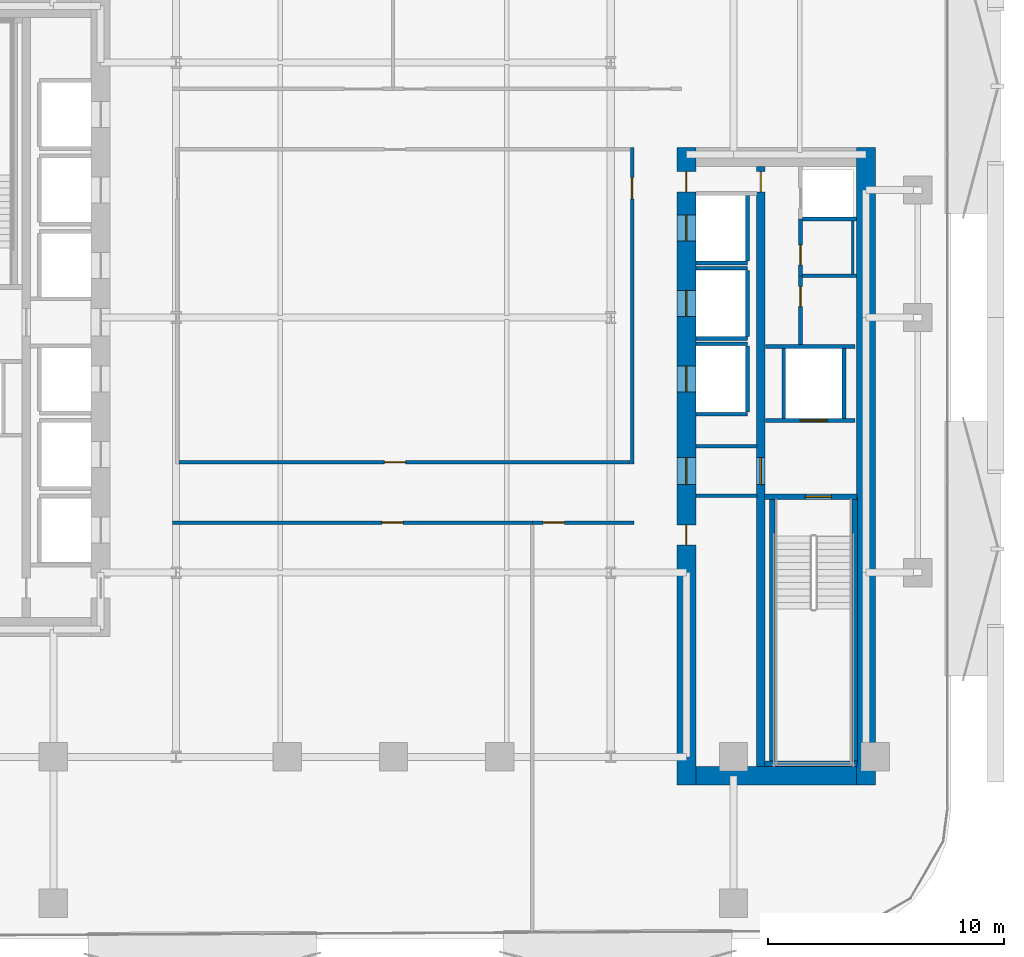
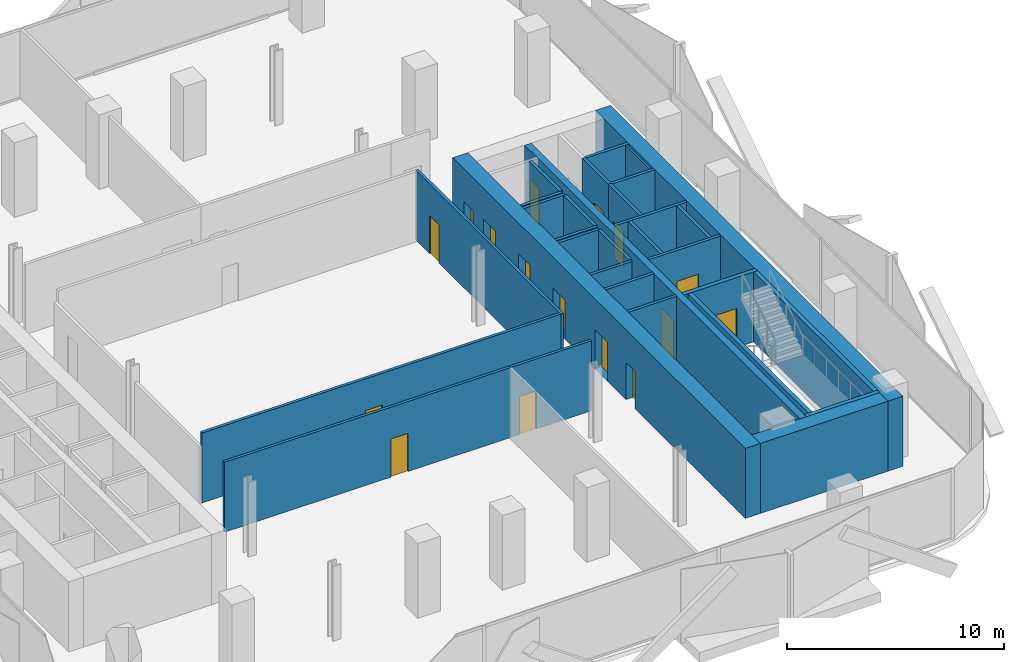
# One storey, part 4 of 14: 31 walls, 16 doors, 16 openings.
"""IFC4 building model written with IfcOpenShell, lengths in metres."""

from ifc_helpers import new_model, si_unit, direction, frame, frame_2d, origin, place, context, subcontext, project, spatial, rectangle, extrude, material, layer, layer_set, type_object, element, fill, save


model = new_model("IFC4")

# Units and contexts
model_context = context("Model", 3, precision=1e-05, world=origin(), true_north=direction((0.0, 1.0)))
body_context = subcontext(model_context, "Body", "Model", "MODEL_VIEW")
ifc_project = project(units=[si_unit("LENGTHUNIT", "METRE"), si_unit("AREAUNIT", "SQUARE_METRE"), si_unit("VOLUMEUNIT", "CUBIC_METRE"), si_unit("PLANEANGLEUNIT", "RADIAN"), si_unit("MASSUNIT", "GRAM", prefix="KILO")], contexts=[model_context])

# Site, building, storey
site_placement = place(None, origin())
site = spatial("IfcSite", under=ifc_project, at=site_placement, CompositionType="ELEMENT")
building_placement = place(site_placement, origin())
building = spatial("IfcBuilding", under=site, at=building_placement, Name="Khairoan Windgate Tower", CompositionType="ELEMENT")
storey_placement = place(building_placement, frame((0.0, 0.0, 93.199951171875)))
storey = spatial("IfcBuildingStorey", under=building, at=storey_placement, Name="L21", CompositionType="ELEMENT", Elevation=93.199951171875)

# Walls
ifc_material_1 = material(Name="Moisture-Resistant Gypsum Partition", Category="gypsum")
ifc_layer_1 = layer(ifc_material_1, 0.10009765625, Name="Moisture-Resistant Gypsum Partition")
ifc_layer_set_1 = layer_set([ifc_layer_1], Name="Moisture-Resistant Gypsum Partition")
wall_type_1 = type_object("IfcWallType", Name="Bathroom Wet-Area Partition Wall", PredefinedType="PARTITIONING", material=ifc_layer_set_1)
wall_1_placement = place(storey_placement, frame((19.449951171875, 4.090087890625, 0.0), z_axis=(0.0, 0.0, 1.0), x_axis=(0.0, -1.0, 0.0)))
element("IfcWall", 1, at=wall_1_placement, inside=storey, type_object=wall_type_1, Name="L21 Wet Room Side Wall 025", PredefinedType="PARTITIONING", context=body_context, shape_type="SweptSolid", body=[
    extrude(rectangle(XDim=2.239990234375, YDim=0.10009765625, at=frame_2d((1.1201171875, 0.0))), origin(), (0.0, 0.0, 1.0), 3.93994140625),
])
ifc_material_2 = material(Name="Concrete C40/50", Category="concrete")
ifc_layer_2 = layer(ifc_material_2, 0.159912109375, Name="Concrete C40/50")
ifc_layer_set_2 = layer_set([ifc_layer_2], Name="Concrete C40/50")
wall_type_2 = type_object("IfcWallType", Name="Core and Hoistway Enclosure Wall", PredefinedType="STANDARD", material=ifc_layer_set_2)
wall_2_placement = place(storey_placement, frame((12.800048828125, 2.31005859375, 0.0), z_axis=(0.0, 0.0, 1.0), x_axis=(1.0, 0.0, 0.0)))
element("IfcWall", 2, at=wall_2_placement, inside=storey, type_object=wall_type_2, Name="L21 Lift PL7 Hoistway Divider S", PredefinedType="STANDARD", context=body_context, shape_type="SweptSolid", body=[
    extrude(rectangle(XDim=2.18994140625, YDim=0.159912109375, at=frame_2d((1.094970703125, 0.0))), origin(), (0.0, 0.0, 1.0), 3.93994140625),
])
wall_3_placement = place(storey_placement, frame((14.989990234375, 2.39990234375, 0.0), z_axis=(0.0, 0.0, 1.0), x_axis=(0.0, 1.0, 0.0)))
element("IfcWall", 3, at=wall_3_placement, inside=storey, type_object=wall_type_2, Name="L21 Lift PL7 Hoistway Back Wall", PredefinedType="STANDARD", context=body_context, shape_type="SweptSolid", body=[
    extrude(rectangle(XDim=2.800048828125, YDim=0.159912109375, at=frame_2d((1.39990234375, 0.0))), origin(), (0.0, 0.0, 1.0), 3.93994140625),
])
for number, where, z_axis, x_axis, name in (
    (4, (12.800048828125, -0.889892578125, 0.0), (0.0, 0.0, 1.0), (1.0, 0.0, 0.0), "L21 Lift PL8 Hoistway Divider S"),
    (5, (12.800048828125, 2.090087890625, 0.0), (0.0, 0.0, 1.0), (1.0, 0.0, 0.0), "L21 Lift PL8 Hoistway Divider N"),
):
    element("IfcWall", number, at=place(storey_placement, frame(where, z_axis=z_axis, x_axis=x_axis)), inside=storey, type_object=wall_type_2, Name=name, PredefinedType="STANDARD", context=body_context, shape_type="SweptSolid", body=[
        extrude(rectangle(XDim=2.18994140625, YDim=0.159912109375, at=frame_2d((1.094970703125, 0.0))), origin(), (0.0, 0.0, 1.0), 3.93994140625),
    ])
wall_4_placement = place(storey_placement, frame((14.989990234375, -0.800048828125, 0.0), z_axis=(0.0, 0.0, 1.0), x_axis=(0.0, 1.0, 0.0)))
element("IfcWall", 6, at=wall_4_placement, inside=storey, type_object=wall_type_2, Name="L21 Lift PL8 Hoistway Back Wall", PredefinedType="STANDARD", context=body_context, shape_type="SweptSolid", body=[
    extrude(rectangle(XDim=2.800048828125, YDim=0.159912109375, at=frame_2d((1.39990234375, 0.0))), origin(), (0.0, 0.0, 1.0), 3.93994140625),
])
for number, where, z_axis, x_axis, name in (
    (7, (12.800048828125, -4.090087890625, 0.0), (0.0, 0.0, 1.0), (1.0, 0.0, 0.0), "L21 Lift PL9 Hoistway Divider S"),
    (8, (12.800048828125, -1.110107421875, 0.0), (0.0, 0.0, 1.0), (1.0, 0.0, 0.0), "L21 Lift PL9 Hoistway Divider N"),
):
    element("IfcWall", number, at=place(storey_placement, frame(where, z_axis=z_axis, x_axis=x_axis)), inside=storey, type_object=wall_type_2, Name=name, PredefinedType="STANDARD", context=body_context, shape_type="SweptSolid", body=[
        extrude(rectangle(XDim=2.18994140625, YDim=0.159912109375, at=frame_2d((1.094970703125, 0.0))), origin(), (0.0, 0.0, 1.0), 3.93994140625),
    ])
wall_5_placement = place(storey_placement, frame((14.989990234375, -4.0, 0.0), z_axis=(0.0, 0.0, 1.0), x_axis=(0.0, 1.0, 0.0)))
element("IfcWall", 9, at=wall_5_placement, inside=storey, type_object=wall_type_2, Name="L21 Lift PL9 Hoistway Back Wall", PredefinedType="STANDARD", context=body_context, shape_type="SweptSolid", body=[
    extrude(rectangle(XDim=2.800048828125, YDim=0.159912109375, at=frame_2d((1.39990234375, 0.0))), origin(), (0.0, 0.0, 1.0), 3.93994140625),
])

# Wall, opening, door
wall_6_placement = place(storey_placement, frame((15.75, -4.360107421875, 0.0), z_axis=(0.0, 0.0, 1.0), x_axis=(1.0, 0.0, 0.0)))
wall_6 = element("IfcWall", 10, at=wall_6_placement, inside=storey, type_object=wall_type_2, Name="L21 Core Shaft Wall SW-FL1-L21", PredefinedType="STANDARD", context=body_context, shape_type="SweptSolid", body=[
    extrude(rectangle(XDim=3.800048828125, YDim=0.159912109375, at=frame_2d((1.89990234375, 0.0))), origin(), (0.0, 0.0, 1.0), 3.93994140625),
])
opening_1_placement = place(wall_6_placement, frame((1.469970703125, 0.0, 0.0)))
opening_1 = element("IfcOpeningElement", 11, at=opening_1_placement, cuts=wall_6, Name="Opening LD-FL", PredefinedType="OPENING", context=body_context, shape_type="SweptSolid", body=[
    extrude(rectangle(XDim=1.14990234375, YDim=2.199951171875, at=frame_2d((0.574951171875, 1.10009765625))), frame((0.0, 0.08984375, 0.0), z_axis=(0.0, -1.0, 0.0), x_axis=(1.0, 0.0, 0.0)), (0.0, 0.0, 1.0), 0.179931640625),
])
ifc_material_3 = material(Name="Steel S355", Category="steel")
door_type_1 = type_object("IfcDoorType", Name="Firefighting Lift Sliding Landing Door LD-FL 1150x2200", OperationType="DOUBLE_DOOR_SLIDING", PredefinedType="DOOR", material=ifc_material_3)
door_1_placement = place(opening_1_placement, origin())
door_1 = element("IfcDoor", 12, at=door_1_placement, inside=storey, type_object=door_type_1, Name="L21 Firefighting Lift FL1 Landing Door", OperationType="DOUBLE_DOOR_SLIDING", OverallHeight=2.199951171875, OverallWidth=1.14990234375, PredefinedType="DOOR", context=body_context, shape_type="SweptSolid", body=[
    extrude(rectangle(XDim=1.14990234375, YDim=2.199951171875, at=frame_2d((0.574951171875, 1.10009765625))), frame((0.0, 0.02490234375, 0.0), z_axis=(0.0, -1.0, 0.0), x_axis=(1.0, 0.0, 0.0)), (0.0, 0.0, 1.0), 0.050048828125),
])
fill(opening_1, door_1)

# Walls
wall_7_placement = place(storey_placement, frame((15.75, -1.219970703125, 0.0), z_axis=(0.0, 0.0, 1.0), x_axis=(1.0, 0.0, 0.0)))
element("IfcWall", 13, at=wall_7_placement, inside=storey, type_object=wall_type_2, Name="L21 Core Shaft Wall SW-FL1T-L21", PredefinedType="STANDARD", context=body_context, shape_type="SweptSolid", body=[
    extrude(rectangle(XDim=3.800048828125, YDim=0.159912109375, at=frame_2d((1.89990234375, 0.0))), origin(), (0.0, 0.0, 1.0), 3.93994140625),
])
for number, where, z_axis, x_axis, name in (
    (14, (16.52001953125, -4.280029296875, 0.0), (0.0, 0.0, 1.0), (0.0, 1.0, 0.0), "L21 Core Shaft Wall SW-FL1W-L21"),
    (15, (19.080078125, -4.280029296875, 0.0), (0.0, 0.0, 1.0), (0.0, 1.0, 0.0), "L21 Core Shaft Wall SW-FL1E-L21"),
):
    element("IfcWall", number, at=place(storey_placement, frame(where, z_axis=z_axis, x_axis=x_axis)), inside=storey, type_object=wall_type_2, Name=name, PredefinedType="STANDARD", context=body_context, shape_type="SweptSolid", body=[
        extrude(rectangle(XDim=2.97998046875, YDim=0.159912109375, at=frame_2d((1.489990234375, 0.0))), origin(), (0.0, 0.0, 1.0), 3.93994140625),
    ])
for number, where, z_axis, x_axis, name in (
    (16, (12.800048828125, -5.449951171875, 0.0), (0.0, 0.0, 1.0), (1.0, 0.0, 0.0), "L21 Core Shaft Wall SW-EV1-L21"),
    (17, (12.800048828125, -7.5400390625, 0.0), (0.0, 0.0, 1.0), (1.0, 0.0, 0.0), "L21 Core Shaft Wall SW-EV2-L21"),
):
    element("IfcWall", number, at=place(storey_placement, frame(where, z_axis=z_axis, x_axis=x_axis)), inside=storey, type_object=wall_type_2, Name=name, PredefinedType="STANDARD", context=body_context, shape_type="SweptSolid", body=[
        extrude(rectangle(XDim=2.599853515625, YDim=0.159912109375, at=frame_2d((1.2998046875, 0.0))), origin(), (0.0, 0.0, 1.0), 3.93994140625),
    ])

# Wall, opening, door
ifc_material_4 = material(Name="Concrete C40/50", Category="concrete")
ifc_layer_3 = layer(ifc_material_4, 0.159912109375, Name="Concrete C40/50")
ifc_layer_set_3 = layer_set([ifc_layer_3], Name="Concrete C40/50")
wall_type_3 = type_object("IfcWallType", Name="Plant and Refuge Compartment Wall", PredefinedType="PARTITIONING", material=ifc_layer_set_3)
wall_8_placement = place(storey_placement, frame((17.22998046875, 1.77001953125, 0.0), z_axis=(0.0, 0.0, 1.0), x_axis=(0.0, 1.0, 0.0)))
wall_8 = element("IfcWall", 18, at=wall_8_placement, inside=storey, type_object=wall_type_3, Name="L21 Interior Partition 007", PredefinedType="PARTITIONING", context=body_context, shape_type="SweptSolid", body=[
    extrude(rectangle(XDim=2.39990234375, YDim=0.159912109375, at=frame_2d((1.199951171875, 0.0))), origin(), (0.0, 0.0, 1.0), 3.93994140625),
])
opening_2_placement = place(wall_8_placement, frame((0.4599609375, 0.0, 0.0)))
opening_2 = element("IfcOpeningElement", 19, at=opening_2_placement, cuts=wall_8, Name="Opening FD-SRV", PredefinedType="OPENING", context=body_context, shape_type="SweptSolid", body=[
    extrude(rectangle(XDim=0.85009765625, YDim=2.10009765625, at=frame_2d((0.425048828125, 1.050048828125))), frame((0.0, 0.08984375, 0.0), z_axis=(0.0, -1.0, 0.0), x_axis=(1.0, 0.0, 0.0)), (0.0, 0.0, 1.0), 0.179931640625),
])
ifc_material_5 = material(Name="Steel S355", Category="steel")
door_type_2 = type_object("IfcDoorType", Name="Core Service and Riser Fire Door FD-SRV 850x2100", OperationType="NOTDEFINED", PredefinedType="DOOR", material=ifc_material_5)
door_2_placement = place(opening_2_placement, origin())
door_2 = element("IfcDoor", 20, at=door_2_placement, inside=storey, type_object=door_type_2, Name="L21 L21-19-L21-21 Door", OperationType="SINGLE_SWING_RIGHT", OverallHeight=2.10009765625, OverallWidth=0.85009765625, PredefinedType="DOOR", context=body_context, shape_type="SweptSolid", body=[
    extrude(rectangle(XDim=0.85009765625, YDim=2.10009765625, at=frame_2d((0.425048828125, 1.050048828125))), frame((0.0, 0.02490234375, 0.0), z_axis=(0.0, -1.0, 0.0), x_axis=(1.0, 0.0, 0.0)), (0.0, 0.0, 1.0), 0.050048828125),
])
fill(opening_2, door_2)

wall_9_placement = place(storey_placement, frame((17.22998046875, -1.139892578125, 0.0), z_axis=(0.0, 0.0, 1.0), x_axis=(0.0, 1.0, 0.0)))
wall_9 = element("IfcWall", 21, at=wall_9_placement, inside=storey, type_object=wall_type_3, Name="L21 Interior Partition 008", PredefinedType="PARTITIONING", context=body_context, shape_type="SweptSolid", body=[
    extrude(rectangle(XDim=2.909912109375, YDim=0.159912109375, at=frame_2d((1.455078125, 0.0))), origin(), (0.0, 0.0, 1.0), 3.93994140625),
])
opening_3_placement = place(wall_9_placement, frame((1.60009765625, 0.0, 0.0)))
opening_3 = element("IfcOpeningElement", 22, at=opening_3_placement, cuts=wall_9, Name="Opening FD-SRV", PredefinedType="OPENING", context=body_context, shape_type="SweptSolid", body=[
    extrude(rectangle(XDim=0.85009765625, YDim=2.10009765625, at=frame_2d((0.425048828125, 1.050048828125))), frame((0.0, 0.08984375, 0.0), z_axis=(0.0, -1.0, 0.0), x_axis=(1.0, 0.0, 0.0)), (0.0, 0.0, 1.0), 0.179931640625),
])
door_3_placement = place(opening_3_placement, origin())
door_3 = element("IfcDoor", 23, at=door_3_placement, inside=storey, type_object=door_type_2, Name="L21 L21-19-L21-22 Door", OperationType="SINGLE_SWING_LEFT", OverallHeight=2.10009765625, OverallWidth=0.85009765625, PredefinedType="DOOR", context=body_context, shape_type="SweptSolid", body=[
    extrude(rectangle(XDim=0.85009765625, YDim=2.10009765625, at=frame_2d((0.425048828125, 1.050048828125))), frame((0.0, 0.02490234375, 0.0), z_axis=(0.0, -1.0, 0.0), x_axis=(1.0, 0.0, 0.0)), (0.0, 0.0, 1.0), 0.050048828125),
])
fill(opening_3, door_3)

# Walls
for number, where, z_axis, x_axis, name in (
    (24, (17.31005859375, 4.169921875, 0.0), (0.0, 0.0, 1.0), (1.0, 0.0, 0.0), "L21 Interior Partition 009"),
    (25, (17.31005859375, 1.77001953125, 0.0), (0.0, 0.0, 1.0), (1.0, 0.0, 0.0), "L21 Interior Partition 010"),
):
    element("IfcWall", number, at=place(storey_placement, frame(where, z_axis=z_axis, x_axis=x_axis)), inside=storey, type_object=wall_type_3, Name=name, PredefinedType="PARTITIONING", context=body_context, shape_type="SweptSolid", body=[
        extrude(rectangle(XDim=2.2900390625, YDim=0.159912109375, at=frame_2d((1.14501953125, 0.0))), origin(), (0.0, 0.0, 1.0), 3.93994140625),
    ])

# Wall, opening, door
ifc_material_6 = material(Name="Acoustic Fire-Rated Gypsum Partition", Category="gypsum")
ifc_layer_4 = layer(ifc_material_6, 0.14990234375, Name="Acoustic Fire-Rated Gypsum Partition")
ifc_layer_set_4 = layer_set([ifc_layer_4], Name="Acoustic Fire-Rated Gypsum Partition")
wall_type_4 = type_object("IfcWallType", Name="Rated Corridor Partition Wall", PredefinedType="PARTITIONING", material=ifc_layer_set_4)
wall_10_placement = place(storey_placement, frame((10.10009765625, -6.195068359375, 0.0), z_axis=(0.0, 0.0, 1.0), x_axis=(0.0, 1.0, 0.0)))
wall_10 = element("IfcWall", 26, at=wall_10_placement, inside=storey, type_object=wall_type_4, Name="L21 Interior Partition 012", PredefinedType="PARTITIONING", context=body_context, shape_type="SweptSolid", body=[
    extrude(rectangle(XDim=13.39013671875, YDim=0.14990234375, at=frame_2d((6.695068359375, 0.0))), origin(), (0.0, 0.0, 1.0), 3.93994140625),
])
opening_4_placement = place(wall_10_placement, frame((11.218017578125, 0.0, 0.0)))
opening_4 = element("IfcOpeningElement", 27, at=opening_4_placement, cuts=wall_10, Name="Opening FD-ENT", PredefinedType="OPENING", context=body_context, shape_type="SweptSolid", body=[
    extrude(rectangle(XDim=0.89990234375, YDim=2.14990234375, at=frame_2d((0.449951171875, 1.074951171875))), frame((0.0, 0.0849609375, 0.0), z_axis=(0.0, -1.0, 0.0), x_axis=(1.0, 0.0, 0.0)), (0.0, 0.0, 1.0), 0.169921875),
])
ifc_material_7 = material(Name="Timber Fire-Rated Core", Category="wood")
door_type_3 = type_object("IfcDoorType", Name="Unit and Office Fire Entrance Door FD-ENT 900x2150", OperationType="NOTDEFINED", PredefinedType="DOOR", material=ifc_material_7)
door_4_placement = place(opening_4_placement, origin())
door_4 = element("IfcDoor", 28, at=door_4_placement, inside=storey, type_object=door_type_3, Name="L21 L21-30-L21-33 Door", OperationType="SINGLE_SWING_LEFT", OverallHeight=2.14990234375, OverallWidth=0.89990234375, PredefinedType="DOOR", context=body_context, shape_type="SweptSolid", body=[
    extrude(rectangle(XDim=0.89990234375, YDim=2.14990234375, at=frame_2d((0.449951171875, 1.074951171875))), frame((0.0, 0.02490234375, 0.0), z_axis=(0.0, -1.0, 0.0), x_axis=(1.0, 0.0, 0.0)), (0.0, 0.0, 1.0), 0.050048828125),
])
fill(opening_4, door_4)

wall_11_placement = place(storey_placement, frame((-9.0849609375, -6.1201171875, 0.0), z_axis=(0.0, 0.0, 1.0), x_axis=(1.0, 0.0, 0.0)))
wall_11 = element("IfcWall", 29, at=wall_11_placement, inside=storey, type_object=wall_type_4, Name="L21 Interior Partition 017", PredefinedType="PARTITIONING", context=body_context, shape_type="SweptSolid", body=[
    extrude(rectangle(XDim=19.10986328125, YDim=0.14990234375, at=frame_2d((9.554931640625, 0.0))), origin(), (0.0, 0.0, 1.0), 3.93994140625),
])
opening_5_placement = place(wall_11_placement, frame((8.702880859375, 0.0, 0.0)))
opening_5 = element("IfcOpeningElement", 30, at=opening_5_placement, cuts=wall_11, Name="Opening FD-ENT", PredefinedType="OPENING", context=body_context, shape_type="SweptSolid", body=[
    extrude(rectangle(XDim=0.89990234375, YDim=2.14990234375, at=frame_2d((0.449951171875, 1.074951171875))), frame((0.0, 0.0849609375, 0.0), z_axis=(0.0, -1.0, 0.0), x_axis=(1.0, 0.0, 0.0)), (0.0, 0.0, 1.0), 0.169921875),
])
door_5_placement = place(opening_5_placement, origin())
door_5 = element("IfcDoor", 31, at=door_5_placement, inside=storey, type_object=door_type_3, Name="L21 L21-32-L21-33 Door", OperationType="SINGLE_SWING_LEFT", OverallHeight=2.14990234375, OverallWidth=0.89990234375, PredefinedType="DOOR", context=body_context, shape_type="SweptSolid", body=[
    extrude(rectangle(XDim=0.89990234375, YDim=2.14990234375, at=frame_2d((0.449951171875, 1.074951171875))), frame((0.0, 0.02490234375, 0.0), z_axis=(0.0, -1.0, 0.0), x_axis=(1.0, 0.0, 0.0)), (0.0, 0.0, 1.0), 0.050048828125),
])
fill(opening_5, door_5)

wall_12_placement = place(storey_placement, frame((-9.360107421875, -8.679931640625, 0.0), z_axis=(0.0, 0.0, 1.0), x_axis=(1.0, 0.0, 0.0)))
wall_12 = element("IfcWall", 32, at=wall_12_placement, inside=storey, type_object=wall_type_4, Name="L21 Interior Partition 018", PredefinedType="PARTITIONING", context=body_context, shape_type="SweptSolid", body=[
    extrude(rectangle(XDim=15.239990234375, YDim=0.14990234375, at=frame_2d((7.6201171875, 0.0))), origin(), (0.0, 0.0, 1.0), 3.93994140625),
])
opening_6_placement = place(wall_12_placement, frame((8.87255859375, 0.0, 0.0)))
opening_6 = element("IfcOpeningElement", 33, at=opening_6_placement, cuts=wall_12, Name="Opening FD-ENT", PredefinedType="OPENING", context=body_context, shape_type="SweptSolid", body=[
    extrude(rectangle(XDim=0.89990234375, YDim=2.14990234375, at=frame_2d((0.449951171875, 1.074951171875))), frame((0.0, 0.0849609375, 0.0), z_axis=(0.0, -1.0, 0.0), x_axis=(1.0, 0.0, 0.0)), (0.0, 0.0, 1.0), 0.169921875),
])
door_6_placement = place(opening_6_placement, origin())
door_6 = element("IfcDoor", 34, at=door_6_placement, inside=storey, type_object=door_type_3, Name="L21 L21-32-L21-36 Door", OperationType="SINGLE_SWING_RIGHT", OverallHeight=2.14990234375, OverallWidth=0.89990234375, PredefinedType="DOOR", context=body_context, shape_type="SweptSolid", body=[
    extrude(rectangle(XDim=0.89990234375, YDim=2.14990234375, at=frame_2d((0.449951171875, 1.074951171875))), frame((0.0, 0.02490234375, 0.0), z_axis=(0.0, -1.0, 0.0), x_axis=(1.0, 0.0, 0.0)), (0.0, 0.0, 1.0), 0.050048828125),
])
fill(opening_6, door_6)

wall_13_placement = place(storey_placement, frame((5.8798828125, -8.679931640625, 0.0), z_axis=(0.0, 0.0, 1.0), x_axis=(1.0, 0.0, 0.0)))
wall_13 = element("IfcWall", 35, at=wall_13_placement, inside=storey, type_object=wall_type_4, Name="L21 Interior Partition 019", PredefinedType="PARTITIONING", context=body_context, shape_type="SweptSolid", body=[
    extrude(rectangle(XDim=4.31005859375, YDim=0.14990234375, at=frame_2d((2.155029296875, 0.0))), origin(), (0.0, 0.0, 1.0), 3.93994140625),
])
opening_7_placement = place(wall_13_placement, frame((0.4599609375, 0.0, 0.0)))
opening_7 = element("IfcOpeningElement", 36, at=opening_7_placement, cuts=wall_13, Name="Opening FD-ENT", PredefinedType="OPENING", context=body_context, shape_type="SweptSolid", body=[
    extrude(rectangle(XDim=0.89990234375, YDim=2.14990234375, at=frame_2d((0.449951171875, 1.074951171875))), frame((0.0, 0.0849609375, 0.0), z_axis=(0.0, -1.0, 0.0), x_axis=(1.0, 0.0, 0.0)), (0.0, 0.0, 1.0), 0.169921875),
])
door_7_placement = place(opening_7_placement, origin())
door_7 = element("IfcDoor", 37, at=door_7_placement, inside=storey, type_object=door_type_3, Name="L21 L21-32-L21-37 Door", OperationType="SINGLE_SWING_LEFT", OverallHeight=2.14990234375, OverallWidth=0.89990234375, PredefinedType="DOOR", context=body_context, shape_type="SweptSolid", body=[
    extrude(rectangle(XDim=0.89990234375, YDim=2.14990234375, at=frame_2d((0.449951171875, 1.074951171875))), frame((0.0, 0.02490234375, 0.0), z_axis=(0.0, -1.0, 0.0), x_axis=(1.0, 0.0, 0.0)), (0.0, 0.0, 1.0), 0.050048828125),
])
fill(opening_7, door_7)

# Wall, openings, doors
ifc_material_8 = material(Name="Concrete C70/85", Category="concrete")
ifc_layer_5 = layer(ifc_material_8, 0.800048828125, Name="Concrete C70/85")
ifc_layer_set_5 = layer_set([ifc_layer_5], Name="Concrete C70/85")
wall_type_5 = type_object("IfcWallType", Name="Shear Wall CW-E1 800mm", PredefinedType="SHEAR", material=ifc_layer_set_5)
wall_14_placement = place(storey_placement, frame((12.39990234375, -19.800048828125, 0.0), z_axis=(0.0, 0.0, 1.0), x_axis=(0.0, 1.0, 0.0)))
wall_14 = element("IfcWall", 38, at=wall_14_placement, inside=storey, type_object=wall_type_5, Name="E Core West Shear Wall L21", PredefinedType="SHEAR", context=body_context, shape_type="SweptSolid", body=[
    extrude(rectangle(XDim=27.0, YDim=0.800048828125, at=frame_2d((13.5, 0.0))), origin(), (0.0, 0.0, 1.0), 3.93994140625),
])
opening_8_placement = place(wall_14_placement, frame((23.050048828125, 0.0, 0.0)))
opening_8 = element("IfcOpeningElement", 39, at=opening_8_placement, cuts=wall_14, Name="Opening LD-PL", PredefinedType="OPENING", context=body_context, shape_type="SweptSolid", body=[
    extrude(rectangle(XDim=1.10009765625, YDim=2.199951171875, at=frame_2d((0.550048828125, 1.10009765625))), frame((0.0, 0.409912109375, 0.0), z_axis=(0.0, -1.0, 0.0), x_axis=(1.0, 0.0, 0.0)), (0.0, 0.0, 1.0), 0.820068359375),
])
opening_9_placement = place(wall_14_placement, frame((19.85009765625, 0.0, 0.0)))
opening_9 = element("IfcOpeningElement", 40, at=opening_9_placement, cuts=wall_14, Name="Opening LD-PL", PredefinedType="OPENING", context=body_context, shape_type="SweptSolid", body=[
    extrude(rectangle(XDim=1.10009765625, YDim=2.199951171875, at=frame_2d((0.550048828125, 1.10009765625))), frame((0.0, 0.409912109375, 0.0), z_axis=(0.0, -1.0, 0.0), x_axis=(1.0, 0.0, 0.0)), (0.0, 0.0, 1.0), 0.820068359375),
])
opening_10_placement = place(wall_14_placement, frame((16.64990234375, 0.0, 0.0)))
opening_10 = element("IfcOpeningElement", 41, at=opening_10_placement, cuts=wall_14, Name="Opening LD-PL", PredefinedType="OPENING", context=body_context, shape_type="SweptSolid", body=[
    extrude(rectangle(XDim=1.10009765625, YDim=2.199951171875, at=frame_2d((0.550048828125, 1.10009765625))), frame((0.0, 0.409912109375, 0.0), z_axis=(0.0, -1.0, 0.0), x_axis=(1.0, 0.0, 0.0)), (0.0, 0.0, 1.0), 0.820068359375),
])
opening_11_placement = place(wall_14_placement, frame((10.175048828125, 0.0, 0.0)))
opening_11 = element("IfcOpeningElement", 42, at=opening_11_placement, cuts=wall_14, Name="Opening FD-SRV", PredefinedType="OPENING", context=body_context, shape_type="SweptSolid", body=[
    extrude(rectangle(XDim=0.85009765625, YDim=2.10009765625, at=frame_2d((0.425048828125, 1.050048828125))), frame((0.0, 0.409912109375, 0.0), z_axis=(0.0, -1.0, 0.0), x_axis=(1.0, 0.0, 0.0)), (0.0, 0.0, 1.0), 0.820068359375),
])
opening_12_placement = place(wall_14_placement, frame((12.72509765625, 0.0, 0.0)))
opening_12 = element("IfcOpeningElement", 43, at=opening_12_placement, cuts=wall_14, Name="Opening FD-FFL", PredefinedType="OPENING", context=body_context, shape_type="SweptSolid", body=[
    extrude(rectangle(XDim=1.14990234375, YDim=2.199951171875, at=frame_2d((0.574951171875, 1.10009765625))), frame((0.0, 0.409912109375, 0.0), z_axis=(0.0, -1.0, 0.0), x_axis=(1.0, 0.0, 0.0)), (0.0, 0.0, 1.0), 0.820068359375),
])
opening_13_placement = place(wall_14_placement, frame((25.125, 0.0, 0.0)))
opening_13 = element("IfcOpeningElement", 44, at=opening_13_placement, cuts=wall_14, Name="Opening FD-SRV", PredefinedType="OPENING", context=body_context, shape_type="SweptSolid", body=[
    extrude(rectangle(XDim=0.85009765625, YDim=2.10009765625, at=frame_2d((0.425048828125, 1.050048828125))), frame((0.0, 0.409912109375, 0.0), z_axis=(0.0, -1.0, 0.0), x_axis=(1.0, 0.0, 0.0)), (0.0, 0.0, 1.0), 0.820068359375),
])
door_8_placement = place(opening_11_placement, origin())
door_8 = element("IfcDoor", 45, at=door_8_placement, inside=storey, type_object=door_type_2, Name="L21 East Core Service Room Door 1", OperationType="SINGLE_SWING_LEFT", OverallHeight=2.10009765625, OverallWidth=0.85009765625, PredefinedType="DOOR", context=body_context, shape_type="SweptSolid", body=[
    extrude(rectangle(XDim=0.85009765625, YDim=2.10009765625, at=frame_2d((0.425048828125, 1.050048828125))), frame((0.0, 0.02490234375, 0.0), z_axis=(0.0, -1.0, 0.0), x_axis=(1.0, 0.0, 0.0)), (0.0, 0.0, 1.0), 0.050048828125),
])
fill(opening_11, door_8)
door_9_placement = place(opening_13_placement, origin())
door_9 = element("IfcDoor", 46, at=door_9_placement, inside=storey, type_object=door_type_2, Name="L21 East Core Service Vestibule Outer Door", OperationType="SINGLE_SWING_RIGHT", OverallHeight=2.10009765625, OverallWidth=0.85009765625, PredefinedType="DOOR", context=body_context, shape_type="SweptSolid", body=[
    extrude(rectangle(XDim=0.85009765625, YDim=2.10009765625, at=frame_2d((0.425048828125, 1.050048828125))), frame((0.0, 0.02490234375, 0.0), z_axis=(0.0, -1.0, 0.0), x_axis=(1.0, 0.0, 0.0)), (0.0, 0.0, 1.0), 0.050048828125),
])
fill(opening_13, door_9)
ifc_material_9 = material(Name="Steel S355", Category="steel")
door_type_4 = type_object("IfcDoorType", Name="Firefighting Lobby Fire Door FD-FFL 1150x2200", OperationType="NOTDEFINED", PredefinedType="DOOR", material=ifc_material_9)
door_10_placement = place(opening_12_placement, origin())
door_10 = element("IfcDoor", 47, at=door_10_placement, inside=storey, type_object=door_type_4, Name="L21 East Core Vestibule Entry Door", OperationType="SINGLE_SWING_RIGHT", OverallHeight=2.199951171875, OverallWidth=1.14990234375, PredefinedType="DOOR", context=body_context, shape_type="SweptSolid", body=[
    extrude(rectangle(XDim=1.14990234375, YDim=2.199951171875, at=frame_2d((0.574951171875, 1.10009765625))), frame((0.0, 0.02490234375, 0.0), z_axis=(0.0, -1.0, 0.0), x_axis=(1.0, 0.0, 0.0)), (0.0, 0.0, 1.0), 0.050048828125),
])
fill(opening_12, door_10)
ifc_material_10 = material(Name="Anodised Bronze Aluminium 6063-T6", Category="aluminium")
door_type_5 = type_object("IfcDoorType", Name="Passenger Lift Sliding Landing Door LD-PL 1100x2200", OperationType="DOUBLE_DOOR_SLIDING", PredefinedType="DOOR", material=ifc_material_10)
door_11_placement = place(opening_8_placement, origin())
door_11 = element("IfcDoor", 48, at=door_11_placement, inside=storey, type_object=door_type_5, Name="L21 Lift PL7 Sliding Landing Door", OperationType="DOUBLE_DOOR_SLIDING", OverallHeight=2.199951171875, OverallWidth=1.10009765625, PredefinedType="DOOR", context=body_context, shape_type="SweptSolid", body=[
    extrude(rectangle(XDim=1.10009765625, YDim=2.199951171875, at=frame_2d((0.550048828125, 1.10009765625))), frame((0.0, 0.02490234375, 0.0), z_axis=(0.0, -1.0, 0.0), x_axis=(1.0, 0.0, 0.0)), (0.0, 0.0, 1.0), 0.050048828125),
])
fill(opening_8, door_11)
door_12_placement = place(opening_9_placement, origin())
door_12 = element("IfcDoor", 49, at=door_12_placement, inside=storey, type_object=door_type_5, Name="L21 Lift PL8 Sliding Landing Door", OperationType="DOUBLE_DOOR_SLIDING", OverallHeight=2.199951171875, OverallWidth=1.10009765625, PredefinedType="DOOR", context=body_context, shape_type="SweptSolid", body=[
    extrude(rectangle(XDim=1.10009765625, YDim=2.199951171875, at=frame_2d((0.550048828125, 1.10009765625))), frame((0.0, 0.02490234375, 0.0), z_axis=(0.0, -1.0, 0.0), x_axis=(1.0, 0.0, 0.0)), (0.0, 0.0, 1.0), 0.050048828125),
])
fill(opening_9, door_12)
door_13_placement = place(opening_10_placement, origin())
door_13 = element("IfcDoor", 50, at=door_13_placement, inside=storey, type_object=door_type_5, Name="L21 Lift PL9 Sliding Landing Door", OperationType="DOUBLE_DOOR_SLIDING", OverallHeight=2.199951171875, OverallWidth=1.10009765625, PredefinedType="DOOR", context=body_context, shape_type="SweptSolid", body=[
    extrude(rectangle(XDim=1.10009765625, YDim=2.199951171875, at=frame_2d((0.550048828125, 1.10009765625))), frame((0.0, 0.02490234375, 0.0), z_axis=(0.0, -1.0, 0.0), x_axis=(1.0, 0.0, 0.0)), (0.0, 0.0, 1.0), 0.050048828125),
])
fill(opening_10, door_13)

# Walls
wall_15_placement = place(storey_placement, frame((20.0, -19.800048828125, 0.0), z_axis=(0.0, 0.0, 1.0), x_axis=(0.0, 1.0, 0.0)))
element("IfcWall", 51, at=wall_15_placement, inside=storey, type_object=wall_type_5, Name="E Core East Shear Wall L21", PredefinedType="SHEAR", context=body_context, shape_type="SweptSolid", body=[
    extrude(rectangle(XDim=27.0, YDim=0.800048828125, at=frame_2d((13.5, 0.0))), origin(), (0.0, 0.0, 1.0), 3.93994140625),
])
wall_16_placement = place(storey_placement, frame((12.800048828125, -19.39990234375, 0.0), z_axis=(0.0, 0.0, 1.0), x_axis=(1.0, 0.0, 0.0)))
element("IfcWall", 52, at=wall_16_placement, inside=storey, type_object=wall_type_5, Name="E Core South Shear Wall L21", PredefinedType="SHEAR", context=body_context, shape_type="SweptSolid", body=[
    extrude(rectangle(XDim=6.800048828125, YDim=0.800048828125, at=frame_2d((3.39990234375, 0.0))), origin(), (0.0, 0.0, 1.0), 3.93994140625),
])

# Wall, openings, doors
ifc_material_11 = material(Name="Concrete C60/75", Category="concrete")
ifc_layer_6 = layer(ifc_material_11, 0.35009765625, Name="Concrete C60/75")
ifc_layer_set_6 = layer_set([ifc_layer_6], Name="Concrete C60/75")
wall_type_6 = type_object("IfcWallType", Name="Shear Wall SW-1 350mm", PredefinedType="SHEAR", material=ifc_layer_set_6)
wall_17_placement = place(storey_placement, frame((15.550048828125, -19.0, 0.0), z_axis=(0.0, 0.0, 1.0), x_axis=(0.0, 1.0, 0.0)))
wall_17 = element("IfcWall", 53, at=wall_17_placement, inside=storey, type_object=wall_type_6, Name="E Core Spine Shear Wall L21", PredefinedType="SHEAR", context=body_context, shape_type="SweptSolid", body=[
    extrude(rectangle(XDim=25.39990234375, YDim=0.35009765625, at=frame_2d((12.699951171875, 0.0))), origin(), (0.0, 0.0, 1.0), 3.93994140625),
])
opening_14_placement = place(wall_17_placement, frame((11.925048828125, 0.0, 0.0)))
opening_14 = element("IfcOpeningElement", 54, at=opening_14_placement, cuts=wall_17, Name="Opening FD-FFL", PredefinedType="OPENING", context=body_context, shape_type="SweptSolid", body=[
    extrude(rectangle(XDim=1.14990234375, YDim=2.199951171875, at=frame_2d((0.574951171875, 1.10009765625))), frame((0.0, 0.18505859375, 0.0), z_axis=(0.0, -1.0, 0.0), x_axis=(1.0, 0.0, 0.0)), (0.0, 0.0, 1.0), 0.3701171875),
])
opening_15_placement = place(wall_17_placement, frame((24.324951171875, 0.0, 0.0)))
opening_15 = element("IfcOpeningElement", 55, at=opening_15_placement, cuts=wall_17, Name="Opening FD-SRV", PredefinedType="OPENING", context=body_context, shape_type="SweptSolid", body=[
    extrude(rectangle(XDim=0.85009765625, YDim=2.10009765625, at=frame_2d((0.425048828125, 1.050048828125))), frame((0.0, 0.18505859375, 0.0), z_axis=(0.0, -1.0, 0.0), x_axis=(1.0, 0.0, 0.0)), (0.0, 0.0, 1.0), 0.3701171875),
])
door_14_placement = place(opening_15_placement, origin())
door_14 = element("IfcDoor", 56, at=door_14_placement, inside=storey, type_object=door_type_2, Name="L21 East Core Service Passage Inner Door", OperationType="SINGLE_SWING_LEFT", OverallHeight=2.10009765625, OverallWidth=0.85009765625, PredefinedType="DOOR", context=body_context, shape_type="SweptSolid", body=[
    extrude(rectangle(XDim=0.85009765625, YDim=2.10009765625, at=frame_2d((0.425048828125, 1.050048828125))), frame((0.0, 0.02490234375, 0.0), z_axis=(0.0, -1.0, 0.0), x_axis=(1.0, 0.0, 0.0)), (0.0, 0.0, 1.0), 0.050048828125),
])
fill(opening_15, door_14)
door_15_placement = place(opening_14_placement, origin())
door_15 = element("IfcDoor", 57, at=door_15_placement, inside=storey, type_object=door_type_4, Name="L21 East Firefighting Lobby Fire Door", OperationType="SINGLE_SWING_LEFT", OverallHeight=2.199951171875, OverallWidth=1.14990234375, PredefinedType="DOOR", context=body_context, shape_type="SweptSolid", body=[
    extrude(rectangle(XDim=1.14990234375, YDim=2.199951171875, at=frame_2d((0.574951171875, 1.10009765625))), frame((0.0, 0.02490234375, 0.0), z_axis=(0.0, -1.0, 0.0), x_axis=(1.0, 0.0, 0.0)), (0.0, 0.0, 1.0), 0.050048828125),
])
fill(opening_14, door_15)

# Walls
ifc_material_12 = material(Name="Concrete C50/60", Category="concrete")
ifc_layer_7 = layer(ifc_material_12, 0.219970703125, Name="Concrete C50/60")
ifc_layer_set_7 = layer_set([ifc_layer_7], Name="Concrete C50/60")
wall_type_7 = type_object("IfcWallType", Name="Shear Wall SW-ST 220mm", PredefinedType="SHEAR", material=ifc_layer_set_7)
for number, where, z_axis, x_axis, name in (
    (58, (16.0400390625, -18.889892578125, 0.0), (0.0, 0.0, 1.0), (0.0, 1.0, 0.0), "L21 Stair ST1 West Bearing Wall"),
    (59, (19.530029296875, -18.889892578125, 0.0), (0.0, 0.0, 1.0), (0.0, 1.0, 0.0), "L21 Stair ST1 East Bearing Wall"),
):
    element("IfcWall", number, at=place(storey_placement, frame(where, z_axis=z_axis, x_axis=x_axis)), inside=storey, type_object=wall_type_7, Name=name, PredefinedType="SHEAR", context=body_context, shape_type="SweptSolid", body=[
        extrude(rectangle(XDim=11.2998046875, YDim=0.219970703125, at=frame_2d((5.64990234375, 0.0))), origin(), (0.0, 0.0, 1.0), 3.93994140625),
    ])
wall_18_placement = place(storey_placement, frame((15.705078125, -18.889892578125, 0.0), z_axis=(0.0, 0.0, 1.0), x_axis=(1.0, 0.0, 0.0)))
element("IfcWall", 60, at=wall_18_placement, inside=storey, type_object=wall_type_7, Name="L21 Stair ST1 South Bearing Wall", PredefinedType="SHEAR", context=body_context, shape_type="SweptSolid", body=[
    extrude(rectangle(XDim=3.9150390625, YDim=0.219970703125, at=frame_2d((1.95751953125, 0.0))), origin(), (0.0, 0.0, 1.0), 3.93994140625),
])

# Wall, opening, door
wall_19_placement = place(storey_placement, frame((19.6201171875, -7.590087890625, 0.0), z_axis=(0.0, 0.0, 1.0), x_axis=(-1.0, 0.0, 0.0)))
wall_19 = element("IfcWall", 61, at=wall_19_placement, inside=storey, type_object=wall_type_7, Name="L21 Stair ST1 North Bearing Wall", PredefinedType="SHEAR", context=body_context, shape_type="SweptSolid", body=[
    extrude(rectangle(XDim=3.9150390625, YDim=0.219970703125, at=frame_2d((1.95751953125, 0.0))), origin(), (0.0, 0.0, 1.0), 3.93994140625),
])
opening_16_placement = place(wall_19_placement, frame((1.080078125, 0.0, 0.0)))
opening_16 = element("IfcOpeningElement", 62, at=opening_16_placement, cuts=wall_19, Name="Opening FD-ST", PredefinedType="OPENING", context=body_context, shape_type="SweptSolid", body=[
    extrude(rectangle(XDim=1.10009765625, YDim=2.199951171875, at=frame_2d((0.550048828125, 1.10009765625))), frame((0.0, 0.119873046875, 0.0), z_axis=(0.0, -1.0, 0.0), x_axis=(1.0, 0.0, 0.0)), (0.0, 0.0, 1.0), 0.239990234375),
])
ifc_material_13 = material(Name="Steel S355", Category="steel")
door_type_6 = type_object("IfcDoorType", Name="Smokeproof Stair Fire Door FD-ST 1100x2200", OperationType="NOTDEFINED", PredefinedType="DOOR", material=ifc_material_13)
door_16_placement = place(opening_16_placement, origin())
door_16 = element("IfcDoor", 63, at=door_16_placement, inside=storey, type_object=door_type_6, Name="L21 Stair ST1 Fire Door", OperationType="SINGLE_SWING_LEFT", OverallHeight=2.199951171875, OverallWidth=1.10009765625, PredefinedType="DOOR", context=body_context, shape_type="SweptSolid", body=[
    extrude(rectangle(XDim=1.10009765625, YDim=2.199951171875, at=frame_2d((0.550048828125, 1.10009765625))), frame((0.0, 0.02490234375, 0.0), z_axis=(0.0, -1.0, 0.0), x_axis=(1.0, 0.0, 0.0)), (0.0, 0.0, 1.0), 0.050048828125),
])
fill(opening_16, door_16)

save(model, "model.ifc")
